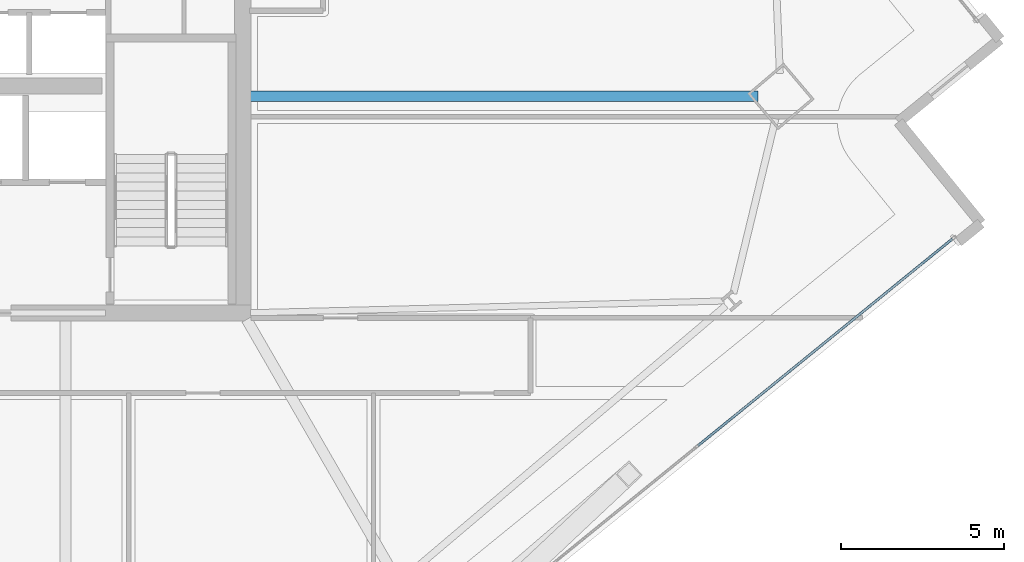
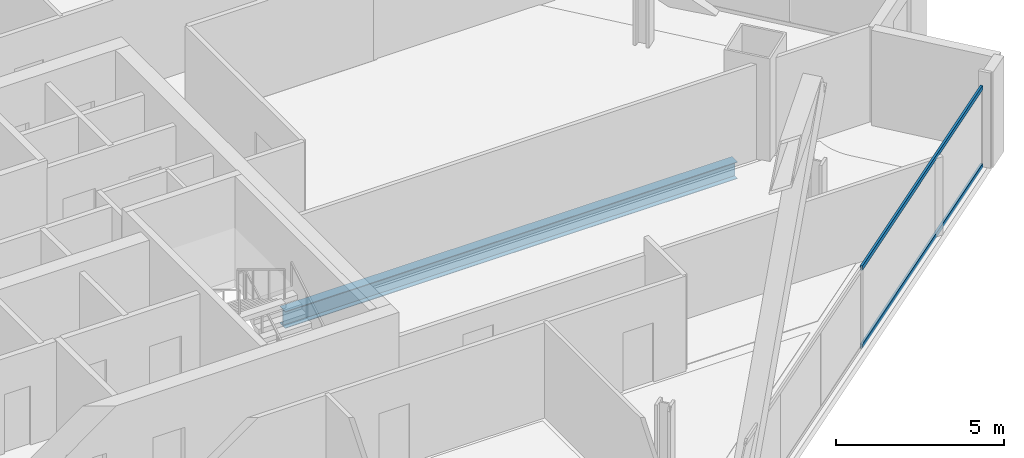
# One storey, part 11 of 36: 2 members, 1 beam, 1 element without a shape of its own.
"""IFC4 building model written with IfcOpenShell, lengths in metres."""

from ifc_helpers import new_model, si_unit, direction, frame, origin, origin_2d, place, context, subcontext, project, spatial, hollow_rectangle, i_section, extrude, material, material_profile, profile_set, type_object, element, aggregate, save


model = new_model("IFC4")

# Units and contexts
model_context = context("Model", 3, precision=1e-05, world=origin(), true_north=direction((0.0, 1.0)))
body_context = subcontext(model_context, "Body", "Model", "MODEL_VIEW")
ifc_project = project(units=[si_unit("LENGTHUNIT", "METRE"), si_unit("AREAUNIT", "SQUARE_METRE"), si_unit("VOLUMEUNIT", "CUBIC_METRE"), si_unit("PLANEANGLEUNIT", "RADIAN"), si_unit("MASSUNIT", "GRAM", prefix="KILO")], contexts=[model_context])

# Site, building, storey
site_placement = place(None, origin())
site = spatial("IfcSite", under=ifc_project, at=site_placement, CompositionType="ELEMENT")
building_placement = place(site_placement, origin())
building = spatial("IfcBuilding", under=site, at=building_placement, Name="Haldenkirk Collegiate Tower", CompositionType="ELEMENT")
storey_placement = place(building_placement, frame((0.0, 0.0, 159.449951171875)))
storey = spatial("IfcBuildingStorey", under=building, at=storey_placement, Name="L39", CompositionType="ELEMENT", Elevation=159.449951171875)

# Beam
ifc_material_1 = material(Name="Steel ASTM A992 Grade 50", Category="steel")
ifc_material_profile_1 = material_profile(ifc_material_1, i_section(OverallWidth=0.324951171875, OverallDepth=0.615966796875, WebThickness=0.013916015625, FlangeThickness=0.021484375, at=origin_2d()), Name="W24X117")
ifc_profile_set_1 = profile_set([ifc_material_profile_1], Name="Steel ASTM A992 Grade 50")
beam_type = type_object("IfcBeamType", Name="BM-GIRDER-W24X117", PredefinedType="BEAM", material=ifc_profile_set_1)
beam_placement = place(storey_placement, frame((60.760009765625, 24.62890625, -0.597900390625), z_axis=(-1.0, 0.0, 0.0), x_axis=(0.0, -1.0, 0.0)))
element("IfcBeam", 1, at=beam_placement, inside=storey, type_object=beam_type, Name="L39 primary floor girder 02", PredefinedType="BEAM", context=body_context, shape_type="SweptSolid", body=[
    extrude(i_section(OverallWidth=0.324951171875, OverallDepth=0.615966796875, WebThickness=0.013916015625, FlangeThickness=0.021484375, at=origin_2d()), origin(), (0.0, 0.0, 1.0), 15.530029296875),
])

# Curtain wall, members
ifc_material_2 = material(Name="Anodised architectural bronze aluminium", Category="aluminium")
curtain_wall_type = type_object("IfcCurtainWallType", Name="CW-SYS2-CONCAVE", PredefinedType="USERDEFINED", material=ifc_material_2)
curtain_wall_placement = place(storey_placement, origin())
curtain_wall = element("IfcCurtainWall", 2, at=curtain_wall_placement, inside=storey, type_object=curtain_wall_type, Name="L39 South concave recessed bronze-anodised curtain wall", ObjectType="UNITISED CURTAIN WALL", PredefinedType="USERDEFINED")
ifc_material_profile_2 = material_profile(ifc_material_2, hollow_rectangle(XDim=0.074951171875, YDim=0.159912109375, WallThickness=0.0048828125, at=origin_2d()), Name="CW-TRN-02")
ifc_profile_set_2 = profile_set([ifc_material_profile_2], Name="Anodised architectural bronze aluminium")
member_type = type_object("IfcMemberType", Name="CW-TRN-02", PredefinedType="USERDEFINED", material=ifc_profile_set_2)
member_1_placement = place(storey_placement, frame((66.71826171875, 20.27001953125, 0.03759765625), z_axis=(-0.776050012293, -0.630671371176, 0.0), x_axis=(0.630671371176, -0.776050012293, 0.0)))
member_1 = element("IfcMember", 3, at=member_1_placement, type_object=member_type, Name="CW-02 transom 1.1", ObjectType="TRANSOM", PredefinedType="USERDEFINED", context=body_context, shape_type="SweptSolid", body=[
    extrude(hollow_rectangle(XDim=0.074951171875, YDim=0.159912109375, WallThickness=0.0048828125, at=origin_2d()), origin(), (0.0, 0.0, 1.0), 10.037353515625),
])
member_2_placement = place(storey_placement, frame((66.71826171875, 20.27001953125, 2.87353515625), z_axis=(-0.776050012293, -0.630671371176, 0.0), x_axis=(0.630671371176, -0.776050012293, 0.0)))
member_2 = element("IfcMember", 4, at=member_2_placement, type_object=member_type, Name="CW-02 transom 1.2", ObjectType="TRANSOM", PredefinedType="USERDEFINED", context=body_context, shape_type="SweptSolid", body=[
    extrude(hollow_rectangle(XDim=0.074951171875, YDim=0.159912109375, WallThickness=0.0048828125, at=origin_2d()), origin(), (0.0, 0.0, 1.0), 10.037353515625),
])
aggregate(curtain_wall, [member_1, member_2])

save(model, "model.ifc")
